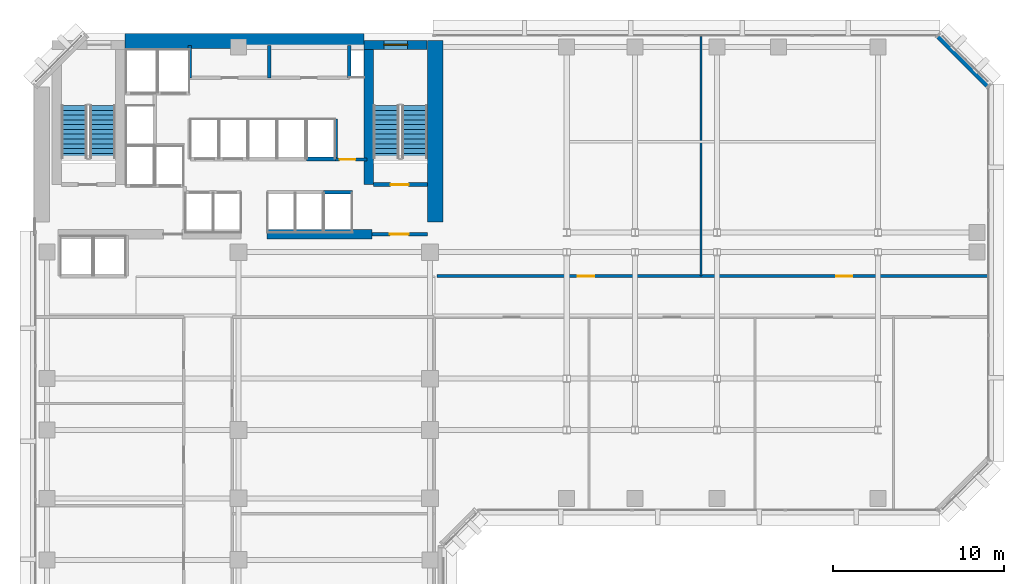
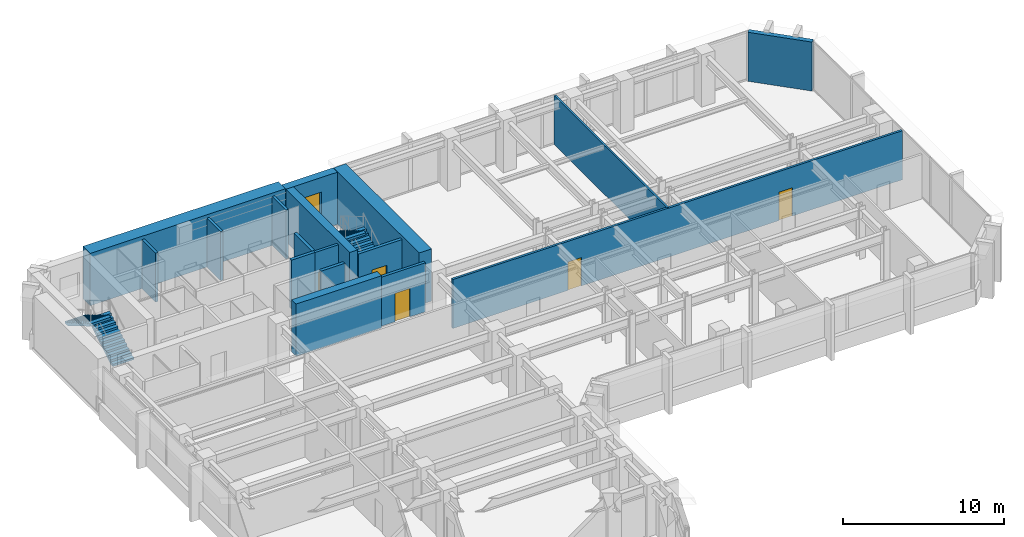
# One storey, part 8 of 13: 17 walls, 5 doors, 4 stair flights, 1 window, 6 openings, 2 elements without a shape of their own.
"""IFC4 building model written with IfcOpenShell, lengths in metres."""

from ifc_helpers import new_model, si_unit, direction, frame, frame_2d, origin, place, context, subcontext, project, spatial, polyline, rectangle, outline, extrude, material, layer, layer_set, type_object, element, fill, aggregate, save


model = new_model("IFC4")

# Units and contexts
model_context = context("Model", 3, precision=1e-05, world=origin(), true_north=direction((0.0, 1.0)))
body_context = subcontext(model_context, "Body", "Model", "MODEL_VIEW")
ifc_project = project(units=[si_unit("LENGTHUNIT", "METRE"), si_unit("AREAUNIT", "SQUARE_METRE"), si_unit("VOLUMEUNIT", "CUBIC_METRE"), si_unit("PLANEANGLEUNIT", "RADIAN"), si_unit("MASSUNIT", "GRAM", prefix="KILO")], contexts=[model_context])

# Site, building, storey
site_placement = place(None, origin())
site = spatial("IfcSite", under=ifc_project, at=site_placement, CompositionType="ELEMENT")
building_placement = place(site_placement, origin())
building = spatial("IfcBuilding", under=site, at=building_placement, Name="Kefirva Bronze Tower", CompositionType="ELEMENT")
storey_placement = place(building_placement, frame((0.0, 0.0, 106.590087890625)))
storey = spatial("IfcBuildingStorey", under=building, at=storey_placement, Name="L25", CompositionType="ELEMENT", Elevation=106.590087890625)

# Wall
ifc_material_1 = material(Name="Gypsum acoustic partition")
ifc_layer_1 = layer(ifc_material_1, 0.1298828125, Name="Gypsum acoustic partition")
ifc_layer_set_1 = layer_set([ifc_layer_1], Name="Gypsum acoustic partition")
wall_type_1 = type_object("IfcWallType", Name="Acoustic Office Partition 130mm", PredefinedType="PARTITIONING", material=ifc_layer_set_1)
wall_1_placement = place(storey_placement, frame((39.060791015625, 31.800048828125, 0.0), z_axis=(0.0, 0.0, 1.0), x_axis=(0.0, 1.0, 0.0)))
element("IfcWall", 1, at=wall_1_placement, inside=storey, type_object=wall_type_1, Name="L25 Partition W-L25-END1", PredefinedType="PARTITIONING", context=body_context, shape_type="SweptSolid", body=[
    extrude(rectangle(XDim=14.010009765625, YDim=0.1298828125, at=frame_2d((7.0048828125, 0.0))), origin(), (0.0, 0.0, 1.0), 3.7099609375),
])

# Wall, opening, door
ifc_material_2 = material(Name="Gypsum fireboard shaftwall")
ifc_layer_2 = layer(ifc_material_2, 0.219970703125, Name="Gypsum fireboard shaftwall")
ifc_layer_set_2 = layer_set([ifc_layer_2], Name="Gypsum fireboard shaftwall")
wall_type_2 = type_object("IfcWallType", Name="Fire-Rated Shaft Enclosure Wall 220mm", PredefinedType="PARTITIONING", material=ifc_layer_set_2)
wall_2_placement = place(storey_placement, frame((19.89990234375, 37.14990234375, 0.0), z_axis=(0.0, 0.0, 1.0), x_axis=(1.0, 0.0, 0.0)))
wall_2 = element("IfcWall", 2, at=wall_2_placement, inside=storey, type_object=wall_type_2, Name="L25 Partition W-L25-ST2S", PredefinedType="PARTITIONING", context=body_context, shape_type="SweptSolid", body=[
    extrude(rectangle(XDim=3.150146484375, YDim=0.219970703125, at=frame_2d((1.5751953125, 0.0))), origin(), (0.0, 0.0, 1.0), 3.7099609375),
])
opening_1_placement = place(wall_2_placement, frame((2.050048828125, 0.0, 0.0), z_axis=(0.0, 0.0, 1.0), x_axis=(-1.0, 0.0, 0.0)))
opening_1 = element("IfcOpeningElement", 3, at=opening_1_placement, cuts=wall_2, Name="Opening L25-D003", PredefinedType="OPENING", context=body_context, shape_type="SweptSolid", body=[
    extrude(rectangle(XDim=1.050048828125, YDim=2.14990234375, at=frame_2d((0.52490234375, 1.074951171875))), frame((0.0, 0.1201171875, 0.0), z_axis=(0.0, -1.0, 0.0), x_axis=(1.0, 0.0, 0.0)), (0.0, 0.0, 1.0), 0.239990234375),
])
ifc_material_3 = material(Name="Painted galvanized steel", Category="steel")
door_type_1 = type_object("IfcDoorType", Name="Fire Stair Enclosure Door 1050x2150 FD90S", OperationType="NOTDEFINED", PredefinedType="DOOR", material=ifc_material_3)
door_1_placement = place(opening_1_placement, origin())
door_1 = element("IfcDoor", 4, at=door_1_placement, inside=storey, type_object=door_type_1, Name="Door L25-D003", OperationType="SINGLE_SWING_LEFT", OverallHeight=2.14990234375, OverallWidth=1.050048828125, PredefinedType="DOOR", context=body_context, shape_type="SweptSolid", body=[
    extrude(rectangle(XDim=1.050048828125, YDim=2.14990234375, at=frame_2d((0.52490234375, 1.074951171875))), frame((0.0, 0.02490234375, 0.0), z_axis=(0.0, -1.0, 0.0), x_axis=(1.0, 0.0, 0.0)), (0.0, 0.0, 1.0), 0.050048828125),
])
fill(opening_1, door_1)

# Walls
wall_3_placement = place(storey_placement, frame((17.679931640625, 38.64990234375, 0.0), z_axis=(0.0, 0.0, 1.0), x_axis=(0.0, 1.0, 0.0)))
element("IfcWall", 5, at=wall_3_placement, inside=storey, type_object=wall_type_2, Name="L25 Partition W-L25-HP2E", PredefinedType="PARTITIONING", context=body_context, shape_type="SweptSolid", body=[
    extrude(rectangle(XDim=2.35009765625, YDim=0.199951171875, at=frame_2d((1.175048828125, 0.0))), origin(), (0.0, 0.0, 1.0), 3.7099609375),
])
wall_4_placement = place(storey_placement, frame((16.97998046875, 36.699951171875, 0.0), z_axis=(0.0, 0.0, 1.0), x_axis=(1.0, 0.0, 0.0)))
element("IfcWall", 6, at=wall_4_placement, inside=storey, type_object=wall_type_2, Name="L25 Partition W-L25-HPS", PredefinedType="PARTITIONING", context=body_context, shape_type="SweptSolid", body=[
    extrude(rectangle(XDim=1.699951171875, YDim=0.219970703125, at=frame_2d((0.85009765625, 0.0))), origin(), (0.0, 0.0, 1.0), 3.7099609375),
])
wall_5_placement = place(storey_placement, frame((15.97998046875, 38.64990234375, 0.0), z_axis=(0.0, 0.0, 1.0), x_axis=(1.0, 0.0, 0.0)))
element("IfcWall", 7, at=wall_5_placement, inside=storey, type_object=wall_type_2, Name="L25 Partition W-L25-HPN", PredefinedType="PARTITIONING", context=body_context, shape_type="SweptSolid", body=[
    extrude(rectangle(XDim=1.719970703125, YDim=0.219970703125, at=frame_2d((0.85986328125, 0.0))), origin(), (0.0, 0.0, 1.0), 3.7099609375),
])

# Wall, opening, door
ifc_material_4 = material(Name="Gypsum fireboard barrier")
ifc_layer_3 = layer(ifc_material_4, 0.199951171875, Name="Gypsum fireboard barrier")
ifc_layer_set_3 = layer_set([ifc_layer_3], Name="Gypsum fireboard barrier")
wall_type_3 = type_object("IfcWallType", Name="Firefighting Lobby Barrier Wall 200mm", PredefinedType="PARTITIONING", material=ifc_layer_set_3)
wall_6_placement = place(storey_placement, frame((19.800048828125, 34.25, 0.0), z_axis=(0.0, 0.0, 1.0), x_axis=(1.0, 0.0, 0.0)))
wall_6 = element("IfcWall", 8, at=wall_6_placement, inside=storey, type_object=wall_type_3, Name="L25 Partition W-L25-ST2F", PredefinedType="PARTITIONING", context=body_context, shape_type="SweptSolid", body=[
    extrude(rectangle(XDim=3.25, YDim=0.199951171875, at=frame_2d((1.625, 0.0))), origin(), (0.0, 0.0, 1.0), 3.7099609375),
])
opening_2_placement = place(wall_6_placement, frame((2.150146484375, 0.0, 0.0), z_axis=(0.0, 0.0, 1.0), x_axis=(-1.0, 0.0, 0.0)))
opening_2 = element("IfcOpeningElement", 9, at=opening_2_placement, cuts=wall_6, Name="Opening L25-D004", PredefinedType="OPENING", context=body_context, shape_type="SweptSolid", body=[
    extrude(rectangle(XDim=1.10009765625, YDim=2.14990234375, at=frame_2d((0.550048828125, 1.074951171875))), frame((0.0, 0.10986328125, 0.0), z_axis=(0.0, -1.0, 0.0), x_axis=(1.0, 0.0, 0.0)), (0.0, 0.0, 1.0), 0.219970703125),
])
door_type_2 = type_object("IfcDoorType", Name="Firefighting Lobby Smoke Door 1100x2150 FD60S", OperationType="NOTDEFINED", PredefinedType="DOOR", material=ifc_material_3)
door_2_placement = place(opening_2_placement, origin())
door_2 = element("IfcDoor", 10, at=door_2_placement, inside=storey, type_object=door_type_2, Name="Door L25-D004", OperationType="SINGLE_SWING_RIGHT", OverallHeight=2.14990234375, OverallWidth=1.10009765625, PredefinedType="DOOR", context=body_context, shape_type="SweptSolid", body=[
    extrude(rectangle(XDim=1.10009765625, YDim=2.14990234375, at=frame_2d((0.550048828125, 1.074951171875))), frame((0.0, 0.02490234375, 0.0), z_axis=(0.0, -1.0, 0.0), x_axis=(1.0, 0.0, 0.0)), (0.0, 0.0, 1.0), 0.050048828125),
])
fill(opening_2, door_2)

wall_7_placement = place(storey_placement, frame((17.679931640625, 38.6201171875, 0.0), z_axis=(0.0, 0.0, 1.0), x_axis=(1.0, 0.0, 0.0)))
wall_7 = element("IfcWall", 11, at=wall_7_placement, inside=storey, type_object=wall_type_3, Name="L25 Partition W-L25-CPASS", PredefinedType="PARTITIONING", context=body_context, shape_type="SweptSolid", body=[
    extrude(rectangle(XDim=1.840087890625, YDim=0.179931640625, at=frame_2d((0.919921875, 0.0))), origin(), (0.0, 0.0, 1.0), 3.7099609375),
])
opening_3_placement = place(wall_7_placement, frame((0.239990234375, 0.0, 0.0)))
opening_3 = element("IfcOpeningElement", 12, at=opening_3_placement, cuts=wall_7, Name="Opening L25-D-CPAS", PredefinedType="OPENING", context=body_context, shape_type="SweptSolid", body=[
    extrude(rectangle(XDim=0.919921875, YDim=2.10009765625, at=frame_2d((0.4599609375, 1.050048828125))), frame((0.0, 0.10009765625, 0.0), z_axis=(0.0, -1.0, 0.0), x_axis=(1.0, 0.0, 0.0)), (0.0, 0.0, 1.0), 0.199951171875),
])
ifc_material_5 = material(Name="Moisture-resistant timber", Category="wood")
door_type_3 = type_object("IfcDoorType", Name="Accessible Sanitary & WC Door 920x2100", OperationType="NOTDEFINED", PredefinedType="DOOR", material=ifc_material_5)
door_3_placement = place(opening_3_placement, origin())
door_3 = element("IfcDoor", 13, at=door_3_placement, inside=storey, type_object=door_type_3, Name="Door L25-D-CPAS", OperationType="SINGLE_SWING_LEFT", OverallHeight=2.10009765625, OverallWidth=0.919921875, PredefinedType="DOOR", context=body_context, shape_type="SweptSolid", body=[
    extrude(rectangle(XDim=0.919921875, YDim=2.10009765625, at=frame_2d((0.4599609375, 1.050048828125))), frame((0.0, 0.02490234375, 0.0), z_axis=(0.0, -1.0, 0.0), x_axis=(1.0, 0.0, 0.0)), (0.0, 0.0, 1.0), 0.050048828125),
])
fill(opening_3, door_3)

# Wall
ifc_material_6 = material(Name="Precast concrete C40/50", Category="concrete")
ifc_layer_4 = layer(ifc_material_6, 0.320068359375, Name="Precast concrete C40/50")
ifc_layer_set_4 = layer_set([ifc_layer_4], Name="Precast concrete C40/50")
wall_type_4 = type_object("IfcWallType", Name="Precast Insulated Exterior Wall 320mm", PredefinedType="SOLIDWALL", material=ifc_layer_set_4)
wall_8_placement = place(storey_placement, frame((55.847900390625, 42.92578125, 0.0), z_axis=(0.0, 0.0, 1.0), x_axis=(-0.707106781187, 0.707106781187, 0.0)))
element("IfcWall", 14, at=wall_8_placement, inside=storey, type_object=wall_type_4, Name="L25 Exterior Facade Wall 5", PredefinedType="SOLIDWALL", context=body_context, shape_type="SweptSolid", body=[
    extrude(rectangle(XDim=4.132568359375, YDim=0.320068359375, at=frame_2d((2.06640625, 0.0))), origin(), (0.0, 0.0, 1.0), 3.7099609375),
])

# Wall, openings, doors
ifc_layer_5 = layer(ifc_material_1, 0.159912109375, Name="Gypsum acoustic partition")
ifc_layer_set_5 = layer_set([ifc_layer_5], Name="Gypsum acoustic partition")
wall_type_5 = type_object("IfcWallType", Name="Protected Corridor Partition 160mm", PredefinedType="PARTITIONING", material=ifc_layer_set_5)
wall_9_placement = place(storey_placement, frame((23.60009765625, 31.800048828125, 0.0), z_axis=(0.0, 0.0, 1.0), x_axis=(1.0, 0.0, 0.0)))
wall_9 = element("IfcWall", 15, at=wall_9_placement, inside=storey, type_object=wall_type_5, Name="L25 Partition W-L25-EWN", PredefinedType="PARTITIONING", context=body_context, shape_type="SweptSolid", body=[
    extrude(rectangle(XDim=32.2099609375, YDim=0.159912109375, at=frame_2d((16.10498046875, 0.0))), origin(), (0.0, 0.0, 1.0), 3.7099609375),
])
opening_4_placement = place(wall_9_placement, frame((8.25537109375, 0.0, 0.0)))
opening_4 = element("IfcOpeningElement", 16, at=opening_4_placement, cuts=wall_9, Name="Opening L25-D-EN1", PredefinedType="OPENING", context=body_context, shape_type="SweptSolid", body=[
    extrude(rectangle(XDim=0.949951171875, YDim=2.14990234375, at=frame_2d((0.47509765625, 1.074951171875))), frame((0.0, 0.08984375, 0.0), z_axis=(0.0, -1.0, 0.0), x_axis=(1.0, 0.0, 0.0)), (0.0, 0.0, 1.0), 0.179931640625),
])
opening_5_placement = place(wall_9_placement, frame((23.3603515625, 0.0, 0.0)))
opening_5 = element("IfcOpeningElement", 17, at=opening_5_placement, cuts=wall_9, Name="Opening L25-D-EN2", PredefinedType="OPENING", context=body_context, shape_type="SweptSolid", body=[
    extrude(rectangle(XDim=0.949951171875, YDim=2.14990234375, at=frame_2d((0.47509765625, 1.074951171875))), frame((0.0, 0.08984375, 0.0), z_axis=(0.0, -1.0, 0.0), x_axis=(1.0, 0.0, 0.0)), (0.0, 0.0, 1.0), 0.179931640625),
])
ifc_material_7 = material(Name="Acoustic hardwood oak", Category="wood")
door_type_4 = type_object("IfcDoorType", Name="Office & Meeting Room Door 950x2150", OperationType="NOTDEFINED", PredefinedType="DOOR", material=ifc_material_7)
door_4_placement = place(opening_4_placement, origin())
door_4 = element("IfcDoor", 18, at=door_4_placement, inside=storey, type_object=door_type_4, Name="Door L25-D-EN1", OperationType="SINGLE_SWING_RIGHT", OverallHeight=2.14990234375, OverallWidth=0.949951171875, PredefinedType="DOOR", context=body_context, shape_type="SweptSolid", body=[
    extrude(rectangle(XDim=0.949951171875, YDim=2.14990234375, at=frame_2d((0.47509765625, 1.074951171875))), frame((0.0, 0.02490234375, 0.0), z_axis=(0.0, -1.0, 0.0), x_axis=(1.0, 0.0, 0.0)), (0.0, 0.0, 1.0), 0.050048828125),
])
fill(opening_4, door_4)
door_5_placement = place(opening_5_placement, origin())
door_5 = element("IfcDoor", 19, at=door_5_placement, inside=storey, type_object=door_type_4, Name="Door L25-D-EN2", OperationType="SINGLE_SWING_LEFT", OverallHeight=2.14990234375, OverallWidth=0.949951171875, PredefinedType="DOOR", context=body_context, shape_type="SweptSolid", body=[
    extrude(rectangle(XDim=0.949951171875, YDim=2.14990234375, at=frame_2d((0.47509765625, 1.074951171875))), frame((0.0, 0.02490234375, 0.0), z_axis=(0.0, -1.0, 0.0), x_axis=(1.0, 0.0, 0.0)), (0.0, 0.0, 1.0), 0.050048828125),
])
fill(opening_5, door_5)

# Wall, opening, window
ifc_material_8 = material(Name="Concrete C50/60", Category="concrete")
ifc_layer_6 = layer(ifc_material_8, 0.550048828125, Name="Concrete C50/60")
ifc_layer_set_6 = layer_set([ifc_layer_6], Name="Concrete C50/60")
wall_type_6 = type_object("IfcWallType", Name="RC Rear Core Exterior Wall 550mm", PredefinedType="SHEAR", material=ifc_layer_set_6)
wall_10_placement = place(storey_placement, frame((19.35009765625, 45.320068359375, 0.0), z_axis=(0.0, 0.0, 1.0), x_axis=(1.0, 0.0, 0.0)))
wall_10 = element("IfcWall", 20, at=wall_10_placement, inside=storey, type_object=wall_type_6, Name="L25 Stair 2 North Shear Wall", PredefinedType="SHEAR", context=body_context, shape_type="SweptSolid", body=[
    extrude(rectangle(XDim=3.68994140625, YDim=0.550048828125, at=frame_2d((1.844970703125, 0.0))), origin(), (0.0, 0.0, 1.0), 3.9599609375),
])
opening_6_placement = place(wall_10_placement, frame((1.14990234375, 0.0, 1.050048828125)))
opening_6 = element("IfcOpeningElement", 21, at=opening_6_placement, cuts=wall_10, Name="Opening WN-03", PredefinedType="OPENING", context=body_context, shape_type="SweptSolid", body=[
    extrude(rectangle(XDim=1.39990234375, YDim=1.800048828125, at=frame_2d((0.699951171875, 0.89990234375))), frame((0.0, 0.28515625, 0.0), z_axis=(0.0, -1.0, 0.0), x_axis=(1.0, 0.0, 0.0)), (0.0, 0.0, 1.0), 0.570068359375),
])
ifc_material_9 = material(Name="Laminated low-E double glazing", Category="glass")
window_type = type_object("IfcWindowType", Name="Rear-Core Stair Daylight Window 1400x1800", PartitioningType="SINGLE_PANEL", PredefinedType="WINDOW", material=ifc_material_9)
window_placement = place(opening_6_placement, origin())
window = element("IfcWindow", 22, at=window_placement, inside=storey, type_object=window_type, Name="L25 Stair 2 Daylight Window", OverallHeight=1.800048828125, OverallWidth=1.39990234375, PartitioningType="SINGLE_PANEL", PredefinedType="WINDOW", context=body_context, shape_type="SweptSolid", body=[
    extrude(rectangle(XDim=1.39990234375, YDim=1.800048828125, at=frame_2d((0.699951171875, 0.89990234375))), frame((0.0, 0.030029296875, 0.0), z_axis=(0.0, -1.0, 0.0), x_axis=(1.0, 0.0, 0.0)), (0.0, 0.0, 1.0), 0.06005859375),
])
fill(opening_6, window)

# Walls
ifc_material_10 = material(Name="Concrete C60/75", Category="concrete")
ifc_layer_7 = layer(ifc_material_10, 0.89990234375, Name="Concrete C60/75")
ifc_layer_set_7 = layer_set([ifc_layer_7], Name="Concrete C60/75")
wall_type_7 = type_object("IfcWallType", Name="RC Rear Core Exterior Wall 900mm", PredefinedType="SHEAR", material=ifc_layer_set_7)
wall_11_placement = place(storey_placement, frame((5.360107421875, 45.550048828125, 0.0), z_axis=(0.0, 0.0, 1.0), x_axis=(1.0, 0.0, 0.0)))
element("IfcWall", 23, at=wall_11_placement, inside=storey, type_object=wall_type_7, Name="L25 Rear Core North Shear Wall", PredefinedType="SHEAR", context=body_context, shape_type="SweptSolid", body=[
    extrude(rectangle(XDim=13.97998046875, YDim=0.89990234375, at=frame_2d((6.989990234375, 0.0))), origin(), (0.0, 0.0, 1.0), 3.9599609375),
])
ifc_layer_8 = layer(ifc_material_8, 0.550048828125, Name="Concrete C50/60")
ifc_layer_set_8 = layer_set([ifc_layer_8], Name="Concrete C50/60")
wall_type_8 = type_object("IfcWallType", Name="RC Rear Core Interior Wall 550mm", PredefinedType="SHEAR", material=ifc_layer_set_8)
wall_12_placement = place(storey_placement, frame((19.6201171875, 37.14990234375, 0.0), z_axis=(0.0, 0.0, 1.0), x_axis=(0.0, 1.0, 0.0)))
element("IfcWall", 24, at=wall_12_placement, inside=storey, type_object=wall_type_8, Name="L25 Stair 2 West Shear Wall", PredefinedType="SHEAR", context=body_context, shape_type="SweptSolid", body=[
    extrude(rectangle(XDim=7.89013671875, YDim=0.550048828125, at=frame_2d((3.945068359375, 0.0))), origin(), (0.0, 0.0, 1.0), 3.9599609375),
])
ifc_layer_9 = layer(ifc_material_10, 0.89990234375, Name="Concrete C60/75")
ifc_layer_set_9 = layer_set([ifc_layer_9], Name="Concrete C60/75")
wall_type_9 = type_object("IfcWallType", Name="RC Rear Core Interior Wall 900mm", PredefinedType="SHEAR", material=ifc_layer_set_9)
wall_13_placement = place(storey_placement, frame((23.5, 34.949951171875, 0.0), z_axis=(0.0, 0.0, 1.0), x_axis=(0.0, 1.0, 0.0)))
element("IfcWall", 25, at=wall_13_placement, inside=storey, type_object=wall_type_9, Name="L25 Rear Core East Shear Wall", PredefinedType="SHEAR", context=body_context, shape_type="SweptSolid", body=[
    extrude(rectangle(XDim=10.64013671875, YDim=0.89990234375, at=frame_2d((5.320068359375, 0.0))), origin(), (0.0, 0.0, 1.0), 3.9599609375),
])
wall_14_placement = place(storey_placement, frame((13.679931640625, 34.25, 0.0), z_axis=(0.0, 0.0, 1.0), x_axis=(1.0, 0.0, 0.0)))
element("IfcWall", 26, at=wall_14_placement, inside=storey, type_object=wall_type_9, Name="L25 Rear Core South-East Shear Wall", PredefinedType="SHEAR", context=body_context, shape_type="SweptSolid", body=[
    extrude(rectangle(XDim=6.1201171875, YDim=0.550048828125, at=frame_2d((3.06005859375, 0.0))), origin(), (0.0, 0.0, 1.0), 3.9599609375),
])
ifc_material_11 = material(Name="Moisture-resistant partition")
ifc_layer_10 = layer(ifc_material_11, 0.179931640625, Name="Moisture-resistant partition")
ifc_layer_set_10 = layer_set([ifc_layer_10], Name="Moisture-resistant partition")
wall_type_10 = type_object("IfcWallType", Name="Sanitary Plumbing Chase Wall 180mm", PredefinedType="PLUMBINGWALL", material=ifc_layer_set_10)
for number, where, z_axis, x_axis, name in (
    (27, (9.14990234375, 43.39990234375, 0.0), (0.0, 0.0, 1.0), (0.0, 1.0, 0.0), "L25 Partition W-L25-SVCW"),
    (28, (18.47998046875, 43.39990234375, 0.0), (0.0, 0.0, 1.0), (0.0, 1.0, 0.0), "L25 Partition W-L25-SVCE"),
    (29, (13.800048828125, 43.39990234375, 0.0), (0.0, 0.0, 1.0), (0.0, 1.0, 0.0), "L25 Partition W-L25-CSVD-1"),
):
    element("IfcWall", number, at=place(storey_placement, frame(where, z_axis=z_axis, x_axis=x_axis)), inside=storey, type_object=wall_type_10, Name=name, PredefinedType="PLUMBINGWALL", context=body_context, shape_type="SweptSolid", body=[
        extrude(rectangle(XDim=1.880126953125, YDim=0.179931640625, at=frame_2d((0.93994140625, 0.0))), origin(), (0.0, 0.0, 1.0), 3.7099609375),
    ])

# Stair, stair flights
ifc_material_12 = material(Name="Concrete C40/50", Category="concrete")
stair_type = type_object("IfcStairType", Name="RC Dogleg Protected Stair 24R", PredefinedType="HALF_TURN_STAIR", material=ifc_material_12)
stair_1_placement = place(storey_placement, origin())
stair_1 = element("IfcStair", 30, at=stair_1_placement, inside=storey, type_object=stair_type, Name="L25 Protected Exit Stair 1", PredefinedType="HALF_TURN_STAIR")
stair_flight_type = type_object("IfcStairFlightType", Name="RC Straight Stair Flight 24R", PredefinedType="STRAIGHT", material=ifc_material_12)
stair_flight_1_placement = place(storey_placement, frame((4.050048828125, 38.699951171875, 0.0), z_axis=(0.0, 0.0, 1.0), x_axis=(0.0, 1.0, 0.0)))
stair_flight_1 = element("IfcStairFlight", 31, at=stair_flight_1_placement, type_object=stair_flight_type, Name="ST-1 flight 1", NumberOfRisers=12, NumberOfTreads=11, PredefinedType="STRAIGHT", RiserHeight=0.165, TreadLength=0.28, context=body_context, shape_type="SweptSolid", body=[
    extrude(outline(polyline([(0.0, 0.0), (0.0, 0.1650390625), (0.280029296875, 0.1650390625), (0.280029296875, 0.330078125), (0.56005859375, 0.330078125), (0.56005859375, 0.4951171875), (0.840087890625, 0.4951171875), (0.840087890625, 0.659912109375), (1.1201171875, 0.659912109375), (1.1201171875, 0.824951171875), (1.39990234375, 0.824951171875), (1.39990234375, 0.989990234375), (1.679931640625, 0.989990234375), (1.679931640625, 1.155029296875), (1.9599609375, 1.155029296875), (1.9599609375, 1.320068359375), (2.239990234375, 1.320068359375), (2.239990234375, 1.485107421875), (2.52001953125, 1.485107421875), (2.52001953125, 1.64990234375), (2.800048828125, 1.64990234375), (2.800048828125, 1.81494140625), (3.080078125, 1.81494140625), (3.080078125, 1.97998046875), (3.080078125, 1.64111328125), (0.295166015625, 0.0), (0.0, 0.0)])), frame((0.0, 0.75, 0.0), z_axis=(0.0, -1.0, 0.0), x_axis=(1.0, 0.0, 0.0)), (0.0, 0.0, 1.0), 1.5),
])
stair_flight_2_placement = place(storey_placement, frame((2.39990234375, 41.780029296875, 1.97998046875), z_axis=(0.0, 0.0, 1.0), x_axis=(0.0, -1.0, 0.0)))
stair_flight_2 = element("IfcStairFlight", 32, at=stair_flight_2_placement, type_object=stair_flight_type, Name="ST-1 flight 2", NumberOfRisers=12, NumberOfTreads=11, PredefinedType="STRAIGHT", RiserHeight=0.165, TreadLength=0.28, context=body_context, shape_type="SweptSolid", body=[
    extrude(outline(polyline([(0.0, 0.0), (0.0, 0.1650390625), (0.280029296875, 0.1650390625), (0.280029296875, 0.330078125), (0.56005859375, 0.330078125), (0.56005859375, 0.4951171875), (0.840087890625, 0.4951171875), (0.840087890625, 0.659912109375), (1.1201171875, 0.659912109375), (1.1201171875, 0.824951171875), (1.39990234375, 0.824951171875), (1.39990234375, 0.989990234375), (1.679931640625, 0.989990234375), (1.679931640625, 1.155029296875), (1.9599609375, 1.155029296875), (1.9599609375, 1.320068359375), (2.239990234375, 1.320068359375), (2.239990234375, 1.485107421875), (2.52001953125, 1.485107421875), (2.52001953125, 1.64990234375), (2.800048828125, 1.64990234375), (2.800048828125, 1.81494140625), (3.080078125, 1.81494140625), (3.080078125, 1.97998046875), (3.080078125, 1.64111328125), (0.295166015625, 0.0), (0.0, 0.0)])), frame((0.0, 0.75, 0.0), z_axis=(0.0, -1.0, 0.0), x_axis=(1.0, 0.0, 0.0)), (0.0, 0.0, 1.0), 1.5),
])
aggregate(stair_1, [stair_flight_1, stair_flight_2])

stair_2_placement = place(storey_placement, origin())
stair_2 = element("IfcStair", 33, at=stair_2_placement, inside=storey, type_object=stair_type, Name="L25 Protected Exit Stair 2", PredefinedType="HALF_TURN_STAIR")
stair_flight_3_placement = place(storey_placement, frame((22.300048828125, 38.699951171875, 0.0), z_axis=(0.0, 0.0, 1.0), x_axis=(0.0, 1.0, 0.0)))
stair_flight_3 = element("IfcStairFlight", 34, at=stair_flight_3_placement, type_object=stair_flight_type, Name="ST-2 flight 1", NumberOfRisers=12, NumberOfTreads=11, PredefinedType="STRAIGHT", RiserHeight=0.165, TreadLength=0.28, context=body_context, shape_type="SweptSolid", body=[
    extrude(outline(polyline([(0.0, 0.0), (0.0, 0.1650390625), (0.280029296875, 0.1650390625), (0.280029296875, 0.330078125), (0.56005859375, 0.330078125), (0.56005859375, 0.4951171875), (0.840087890625, 0.4951171875), (0.840087890625, 0.659912109375), (1.1201171875, 0.659912109375), (1.1201171875, 0.824951171875), (1.39990234375, 0.824951171875), (1.39990234375, 0.989990234375), (1.679931640625, 0.989990234375), (1.679931640625, 1.155029296875), (1.9599609375, 1.155029296875), (1.9599609375, 1.320068359375), (2.239990234375, 1.320068359375), (2.239990234375, 1.485107421875), (2.52001953125, 1.485107421875), (2.52001953125, 1.64990234375), (2.800048828125, 1.64990234375), (2.800048828125, 1.81494140625), (3.080078125, 1.81494140625), (3.080078125, 1.97998046875), (3.080078125, 1.64111328125), (0.295166015625, 0.0), (0.0, 0.0)])), frame((0.0, 0.75, 0.0), z_axis=(0.0, -1.0, 0.0), x_axis=(1.0, 0.0, 0.0)), (0.0, 0.0, 1.0), 1.5),
])
stair_flight_4_placement = place(storey_placement, frame((20.64990234375, 41.780029296875, 1.97998046875), z_axis=(0.0, 0.0, 1.0), x_axis=(0.0, -1.0, 0.0)))
stair_flight_4 = element("IfcStairFlight", 35, at=stair_flight_4_placement, type_object=stair_flight_type, Name="ST-2 flight 2", NumberOfRisers=12, NumberOfTreads=11, PredefinedType="STRAIGHT", RiserHeight=0.165, TreadLength=0.28, context=body_context, shape_type="SweptSolid", body=[
    extrude(outline(polyline([(0.0, 0.0), (0.0, 0.1650390625), (0.280029296875, 0.1650390625), (0.280029296875, 0.330078125), (0.56005859375, 0.330078125), (0.56005859375, 0.4951171875), (0.840087890625, 0.4951171875), (0.840087890625, 0.659912109375), (1.1201171875, 0.659912109375), (1.1201171875, 0.824951171875), (1.39990234375, 0.824951171875), (1.39990234375, 0.989990234375), (1.679931640625, 0.989990234375), (1.679931640625, 1.155029296875), (1.9599609375, 1.155029296875), (1.9599609375, 1.320068359375), (2.239990234375, 1.320068359375), (2.239990234375, 1.485107421875), (2.52001953125, 1.485107421875), (2.52001953125, 1.64990234375), (2.800048828125, 1.64990234375), (2.800048828125, 1.81494140625), (3.080078125, 1.81494140625), (3.080078125, 1.97998046875), (3.080078125, 1.64111328125), (0.295166015625, 0.0), (0.0, 0.0)])), frame((0.0, 0.75, 0.0), z_axis=(0.0, -1.0, 0.0), x_axis=(1.0, 0.0, 0.0)), (0.0, 0.0, 1.0), 1.5),
])
aggregate(stair_2, [stair_flight_3, stair_flight_4])

save(model, "model.ifc")
